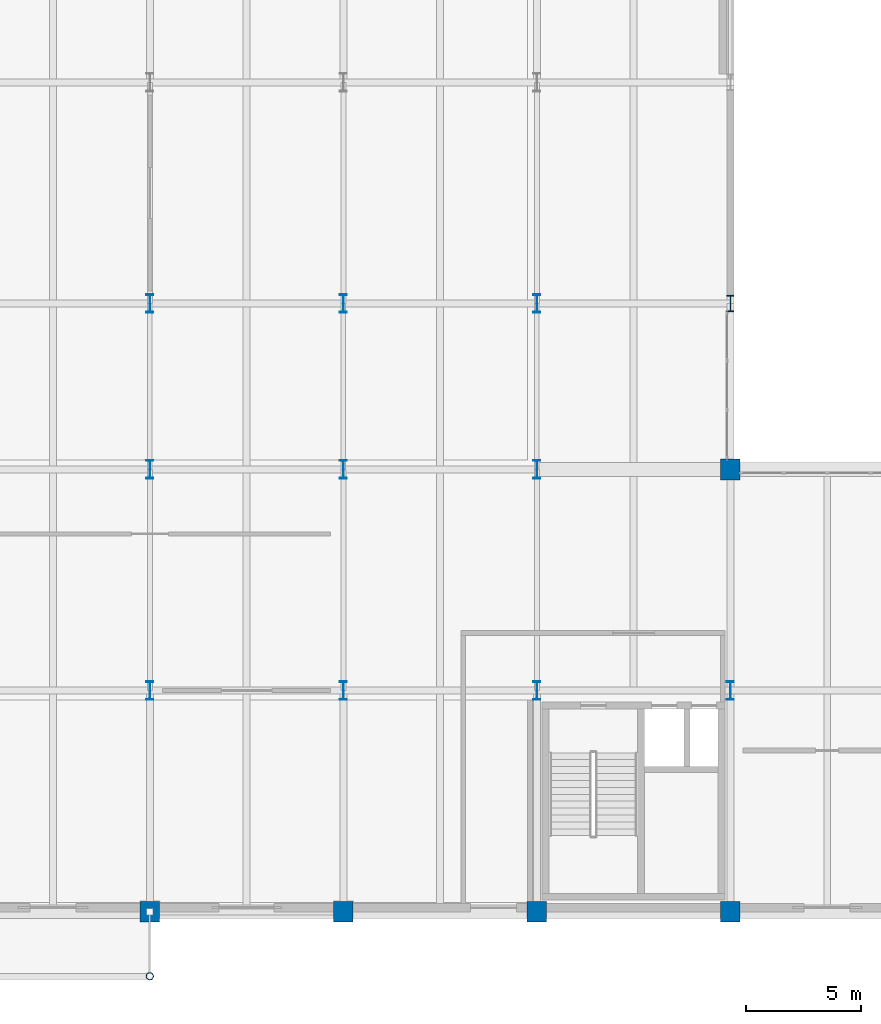
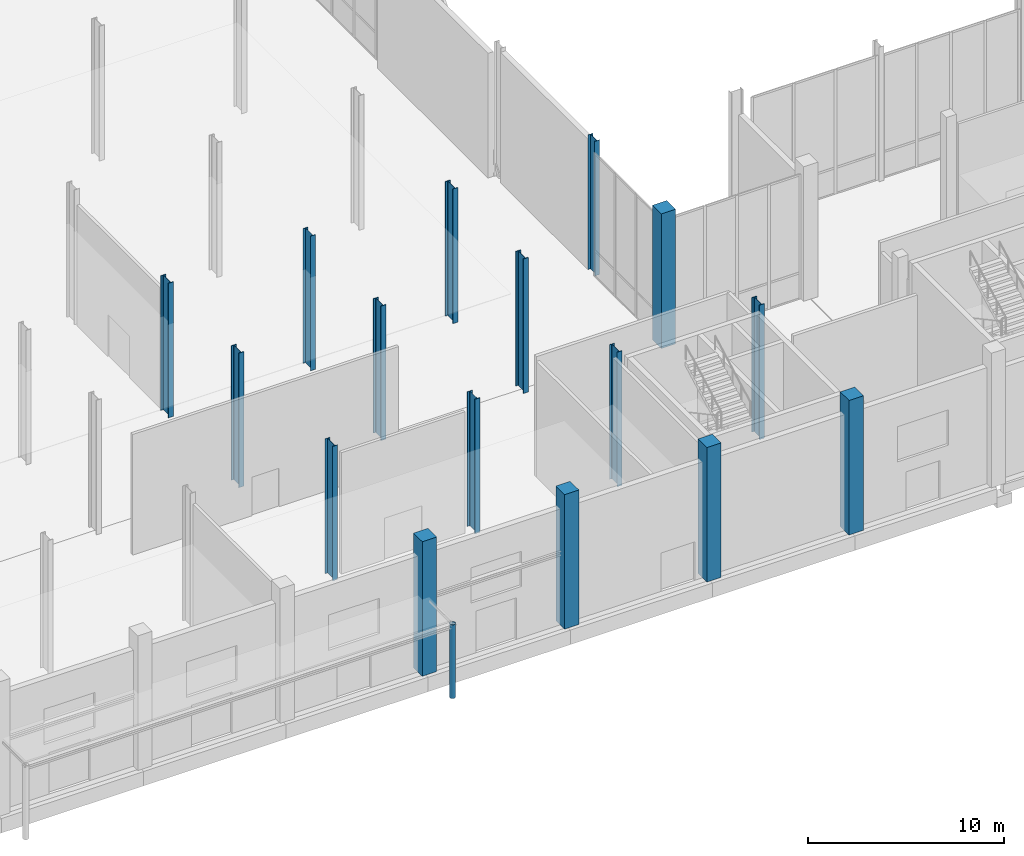
# One storey, part 5 of 131: 17 columns.
"""IFC4 building model written with IfcOpenShell, lengths in metres."""

from ifc_helpers import new_model, si_unit, direction, frame, origin, origin_2d, place, context, subcontext, project, spatial, rectangle, hollow_circle, i_section, extrude, material, material_profile, profile_set, type_object, element, save


model = new_model("IFC4")

# Units and contexts
model_context = context("Model", 3, precision=1e-05, world=origin(), true_north=direction((0.0, 1.0)))
body_context = subcontext(model_context, "Body", "Model", "MODEL_VIEW")
ifc_project = project(units=[si_unit("LENGTHUNIT", "METRE"), si_unit("AREAUNIT", "SQUARE_METRE"), si_unit("VOLUMEUNIT", "CUBIC_METRE"), si_unit("PLANEANGLEUNIT", "RADIAN"), si_unit("MASSUNIT", "GRAM", prefix="KILO")], contexts=[model_context])

# Site, building, storey
site_placement = place(None, origin())
site = spatial("IfcSite", under=ifc_project, at=site_placement, CompositionType="ELEMENT")
building_placement = place(site_placement, origin())
building = spatial("IfcBuilding", under=site, at=building_placement, Name="Veltarok Museum of Natural Sciences", CompositionType="ELEMENT")
storey_placement = place(building_placement, origin())
storey = spatial("IfcBuildingStorey", under=building, at=storey_placement, Name="L00", CompositionType="ELEMENT", Elevation=0.0)

# Columns
ifc_material_1 = material(Name="Steel S355J2", Category="steel")
ifc_material_profile_1 = material_profile(ifc_material_1, hollow_circle(Radius=0.161865234375, WallThickness=0.01611328125, at=origin_2d()), Name="CHS 323.9x16")
ifc_profile_set_1 = profile_set([ifc_material_profile_1], Name="Steel S355J2")
column_type_1 = type_object("IfcColumnType", Name="Canopy Support Column CHS 323.9x16", PredefinedType="COLUMN", material=ifc_profile_set_1)
column_1_placement = place(storey_placement, frame((73.60009765625, -2.800048828125, 0.0), z_axis=(0.0, 0.0, 1.0), x_axis=(1.0, 0.0, 0.0)))
element("IfcColumn", 1, at=column_1_placement, inside=storey, type_object=column_type_1, Name="Entrance Canopy Column CN-S2", PredefinedType="COLUMN", context=body_context, shape_type="SweptSolid", body=[
    extrude(hollow_circle(Radius=0.161865234375, WallThickness=0.01611328125, at=origin_2d()), origin(), (0.0, 0.0, 1.0), 4.60009765625),
])
ifc_material_2 = material(Name="Concrete C40/50", Category="concrete")
ifc_material_profile_2 = material_profile(ifc_material_2, rectangle(XDim=0.85009765625, YDim=0.89990234375, at=origin_2d()), Name="RC 850x900")
ifc_profile_set_2 = profile_set([ifc_material_profile_2], Name="Concrete C40/50")
column_type_2 = type_object("IfcColumnType", Name="Exposed Cabinet Grid Column RC 850x900", PredefinedType="COLUMN", material=ifc_profile_set_2)
for number, where, z_axis, x_axis, name in (
    (2, (73.60009765625, 0.0, 0.0), (0.0, 0.0, 1.0), (1.0, 0.0, 0.0), "Column COL-CAB01 L00 9/A"),
    (3, (82.0, 0.0, 0.0), (0.0, 0.0, 1.0), (1.0, 0.0, 0.0), "Column COL-CAB01 L00 10/A"),
    (4, (90.39990234375, 0.0, 0.0), (0.0, 0.0, 1.0), (1.0, 0.0, 0.0), "Column COL-CAB01 L00 11/A"),
    (5, (98.800048828125, 0.0, 0.0), (0.0, 0.0, 1.0), (1.0, 0.0, 0.0), "Column COL-CAB01 L00 12/A"),
    (6, (98.800048828125, 19.199951171875, 0.0), (0.0, 0.0, 1.0), (1.0, 0.0, 0.0), "Column COL-CAB01 L00 12/C"),
):
    element("IfcColumn", number, at=place(storey_placement, frame(where, z_axis=z_axis, x_axis=x_axis)), inside=storey, type_object=column_type_2, Name=name, PredefinedType="COLUMN", context=body_context, shape_type="SweptSolid", body=[
        extrude(rectangle(XDim=0.85009765625, YDim=0.89990234375, at=origin_2d()), origin(), (0.0, 0.0, 1.0), 8.39990234375),
    ])
ifc_material_profile_3 = material_profile(ifc_material_1, i_section(OverallWidth=0.300048828125, OverallDepth=0.699951171875, WebThickness=0.01708984375, FlangeThickness=0.031982421875, FilletRadius=0.027099609375, at=origin_2d()), Name="HEB 700")
ifc_profile_set_3 = profile_set([ifc_material_profile_3], Name="Steel S355J2")
column_type_3 = type_object("IfcColumnType", Name="Perimeter Steel Column HEB 700", PredefinedType="COLUMN", material=ifc_profile_set_3)
column_2_placement = place(storey_placement, frame((98.800048828125, 26.39990234375, 0.0), z_axis=(0.0, 0.0, 1.0), x_axis=(1.0, 0.0, 0.0)))
element("IfcColumn", 7, at=column_2_placement, inside=storey, type_object=column_type_3, Name="Column COL-EXT01 L00 12/D", PredefinedType="COLUMN", context=body_context, shape_type="SweptSolid", body=[
    extrude(i_section(OverallWidth=0.300048828125, OverallDepth=0.699951171875, WebThickness=0.01708984375, FlangeThickness=0.031982421875, FilletRadius=0.027099609375, at=origin_2d()), origin(), (0.0, 0.0, 1.0), 8.39990234375),
])
ifc_material_profile_4 = material_profile(ifc_material_1, i_section(OverallWidth=0.300048828125, OverallDepth=0.800048828125, WebThickness=0.017578125, FlangeThickness=0.032958984375, FilletRadius=0.030029296875, at=origin_2d()), Name="HEB 800")
ifc_profile_set_4 = profile_set([ifc_material_profile_4], Name="Steel S355J2")
column_type_4 = type_object("IfcColumnType", Name="Primary Frame Column HEB 800", PredefinedType="COLUMN", material=ifc_profile_set_4)
for number, where, z_axis, x_axis, name in (
    (8, (73.60009765625, 9.60009765625, 0.0), (0.0, 0.0, 1.0), (1.0, 0.0, 0.0), "Column COL-S02 L00 9/B"),
    (9, (73.60009765625, 19.199951171875, 0.0), (0.0, 0.0, 1.0), (1.0, 0.0, 0.0), "Column COL-S02 L00 9/C"),
    (10, (73.60009765625, 26.39990234375, 0.0), (0.0, 0.0, 1.0), (1.0, 0.0, 0.0), "Column COL-S02 L00 9/D"),
    (11, (82.0, 9.60009765625, 0.0), (0.0, 0.0, 1.0), (1.0, 0.0, 0.0), "Column COL-S02 L00 10/B"),
    (12, (82.0, 19.199951171875, 0.0), (0.0, 0.0, 1.0), (1.0, 0.0, 0.0), "Column COL-S02 L00 10/C"),
    (13, (82.0, 26.39990234375, 0.0), (0.0, 0.0, 1.0), (1.0, 0.0, 0.0), "Column COL-S02 L00 10/D"),
    (14, (90.39990234375, 9.60009765625, 0.0), (0.0, 0.0, 1.0), (1.0, 0.0, 0.0), "Column COL-S02 L00 11/B"),
    (15, (90.39990234375, 19.199951171875, 0.0), (0.0, 0.0, 1.0), (1.0, 0.0, 0.0), "Column COL-S02 L00 11/C"),
    (16, (90.39990234375, 26.39990234375, 0.0), (0.0, 0.0, 1.0), (1.0, 0.0, 0.0), "Column COL-S02 L00 11/D"),
    (17, (98.800048828125, 9.60009765625, 0.0), (0.0, 0.0, 1.0), (1.0, 0.0, 0.0), "Column COL-S02 L00 12/B"),
):
    element("IfcColumn", number, at=place(storey_placement, frame(where, z_axis=z_axis, x_axis=x_axis)), inside=storey, type_object=column_type_4, Name=name, PredefinedType="COLUMN", context=body_context, shape_type="SweptSolid", body=[
        extrude(i_section(OverallWidth=0.300048828125, OverallDepth=0.800048828125, WebThickness=0.017578125, FlangeThickness=0.032958984375, FilletRadius=0.030029296875, at=origin_2d()), origin(), (0.0, 0.0, 1.0), 8.39990234375),
    ])

save(model, "model.ifc")
